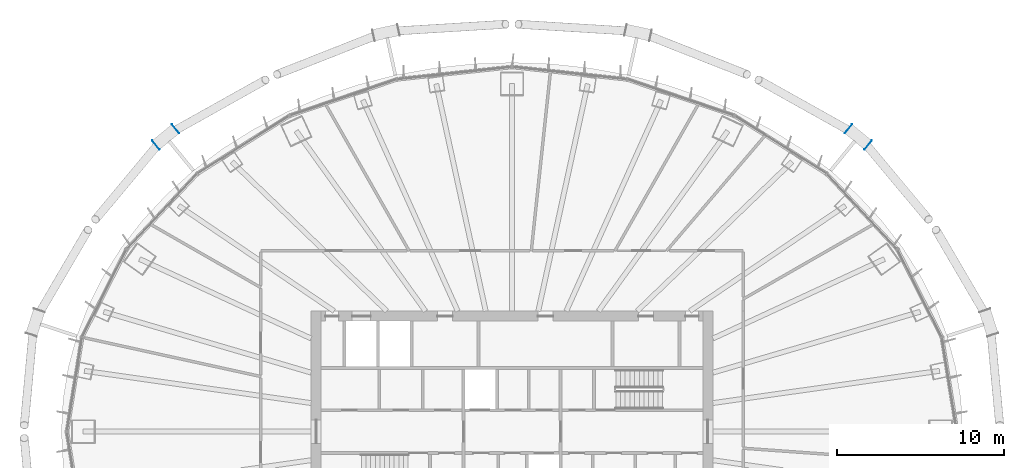
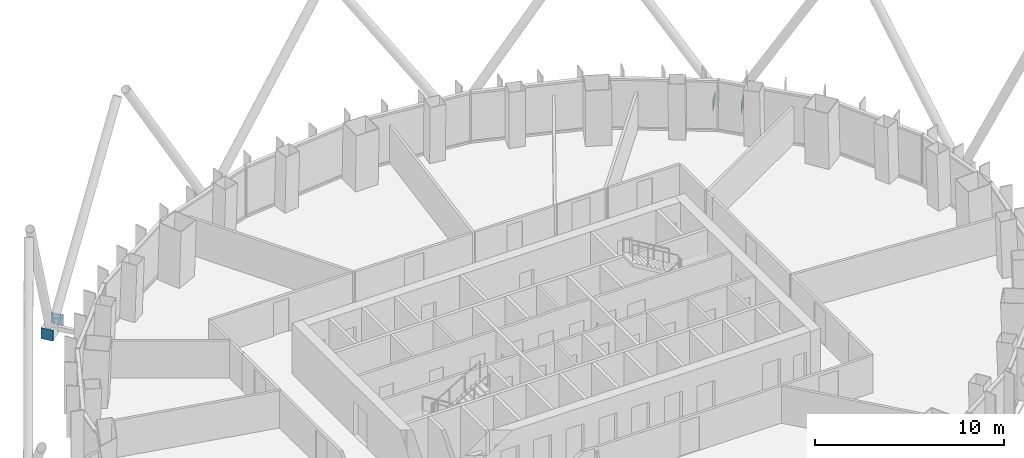
# One storey, part 12 of 18: 4 discrete accessories.
"""IFC4 building model written with IfcOpenShell, lengths in metres."""

from ifc_helpers import new_model, si_unit, direction, frame, origin, origin_2d, place, context, subcontext, project, spatial, rectangle, extrude, material, layer, layer_set, type_object, element, save


model = new_model("IFC4")

# Units and contexts
model_context = context("Model", 3, precision=1e-05, world=origin(), true_north=direction((0.0, 1.0)))
body_context = subcontext(model_context, "Body", "Model", "MODEL_VIEW")
ifc_project = project(units=[si_unit("LENGTHUNIT", "METRE"), si_unit("AREAUNIT", "SQUARE_METRE"), si_unit("VOLUMEUNIT", "CUBIC_METRE"), si_unit("PLANEANGLEUNIT", "RADIAN"), si_unit("MASSUNIT", "GRAM", prefix="KILO")], contexts=[model_context])

# Site, building, storey
site_placement = place(None, origin())
site = spatial("IfcSite", under=ifc_project, at=site_placement, CompositionType="ELEMENT")
building_placement = place(site_placement, origin())
building = spatial("IfcBuilding", under=site, at=building_placement, Name="Siaravel Broadcast Tower", CompositionType="ELEMENT")
storey_placement = place(building_placement, frame((0.0, 0.0, 81.5)))
storey = spatial("IfcBuildingStorey", under=building, at=storey_placement, Name="L19", CompositionType="ELEMENT", Elevation=81.5)

# Discrete accessories
ifc_material = material(Name="Steel S355", Category="steel")
ifc_layer = layer(ifc_material, 0.02001953125)
ifc_layer_set = layer_set([ifc_layer], Name="Steel S355")
discrete_accessory_type = type_object("IfcDiscreteAccessoryType", Name="Steel end plate 20 mm", PredefinedType="USERDEFINED", material=ifc_layer_set)
for number, where, z_axis, x_axis, name in (
    (1, (20.087646484375, 18.08349609375, -0.5498046875), (0.0, 0.0, 1.0), (-0.773603588, 0.633669858, 0.0), "End plate R08 station 09A"),
    (2, (21.268798828125, 17.1162109375, -0.5498046875), (0.0, 0.0, 1.0), (-0.773603588, 0.633669858, 0.0), "End plate R08 station 09B"),
    (3, (-21.268798828125, 17.1162109375, -0.5498046875), (0.0, 0.0, 1.0), (-0.773603588, -0.633669858, 0.0), "End plate R08 station 27A"),
    (4, (-20.087646484375, 18.08349609375, -0.5498046875), (0.0, 0.0, 1.0), (-0.773603588, -0.633669858, 0.0), "End plate R08 station 27B"),
):
    element("IfcDiscreteAccessory", number, at=place(storey_placement, frame(where, z_axis=z_axis, x_axis=x_axis)), inside=storey, type_object=discrete_accessory_type, Name=name, ObjectType="END PLATE", PredefinedType="USERDEFINED", context=body_context, shape_type="SweptSolid", body=[
        extrude(rectangle(XDim=0.02001953125, YDim=0.699951171875, at=origin_2d()), origin(), (0.0, 0.0, 1.0), 0.699951171875),
    ])

save(model, "model.ifc")
